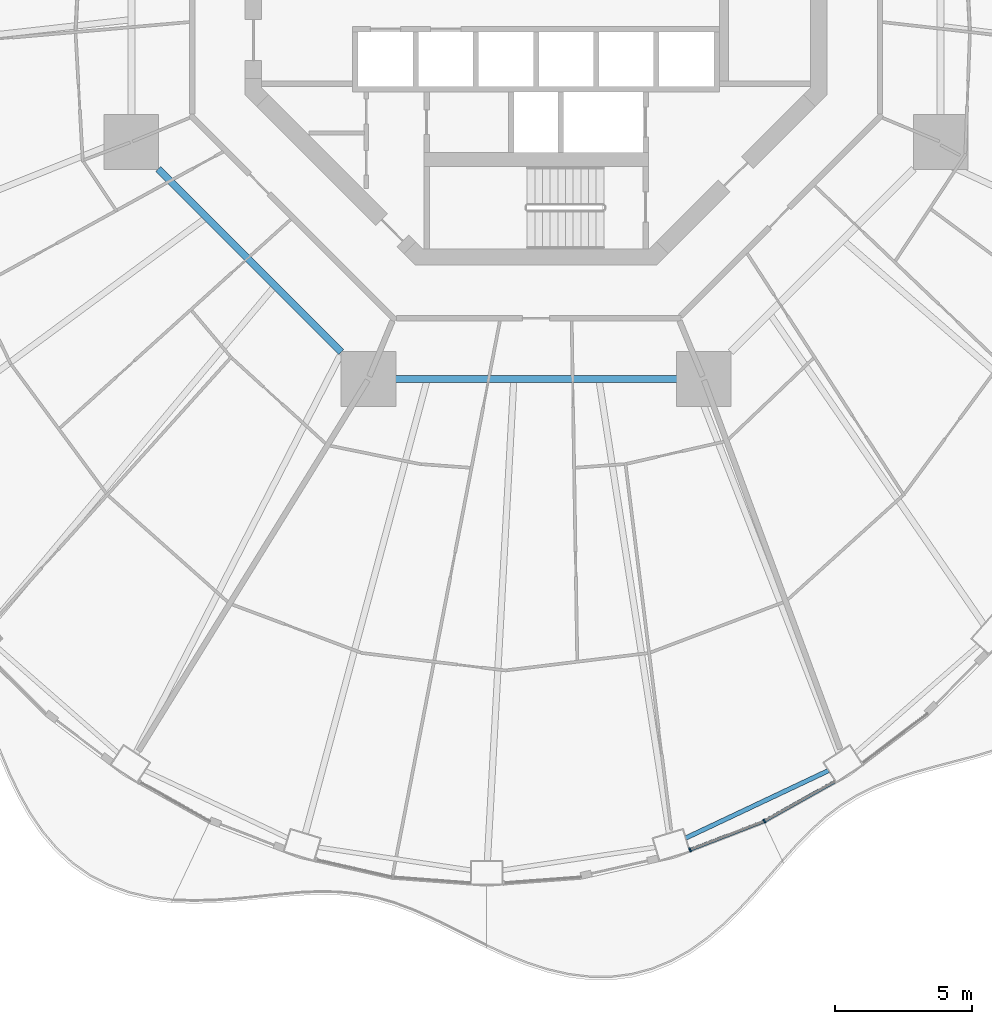
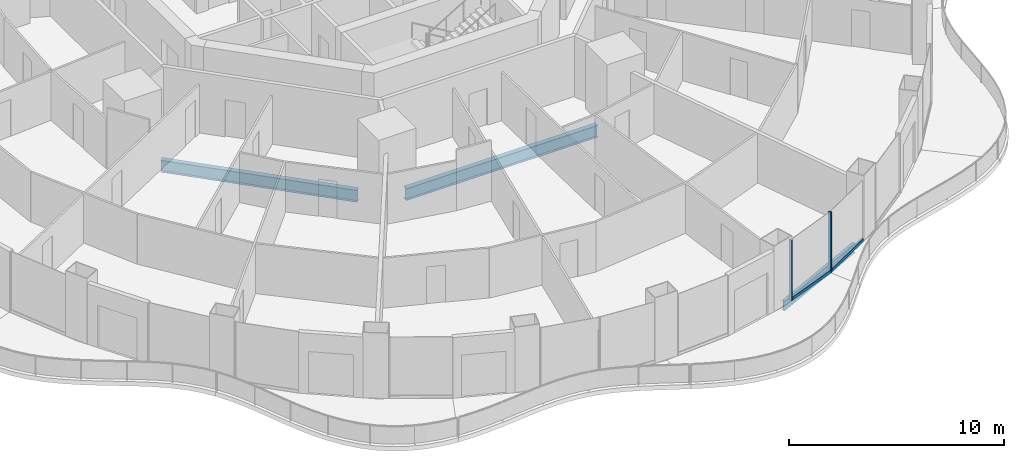
# One storey, part 4 of 20: 4 members, 3 beams, 2 elements without a shape of their own.
"""IFC4 building model written with IfcOpenShell, lengths in metres."""

from ifc_helpers import new_model, si_unit, direction, frame, origin, origin_2d, place, context, subcontext, project, spatial, rectangle, i_section, extrude, material, layer, layer_set, material_profile, profile_set, type_object, element, aggregate, save


model = new_model("IFC4")

# Units and contexts
model_context = context("Model", 3, precision=1e-05, world=origin(), true_north=direction((0.0, 1.0)))
body_context = subcontext(model_context, "Body", "Model", "MODEL_VIEW")
ifc_project = project(units=[si_unit("LENGTHUNIT", "METRE"), si_unit("AREAUNIT", "SQUARE_METRE"), si_unit("VOLUMEUNIT", "CUBIC_METRE"), si_unit("PLANEANGLEUNIT", "RADIAN"), si_unit("MASSUNIT", "GRAM", prefix="KILO")], contexts=[model_context])

# Site, building, storey
site_placement = place(None, origin())
site = spatial("IfcSite", under=ifc_project, at=site_placement, CompositionType="ELEMENT")
building_placement = place(site_placement, origin())
building = spatial("IfcBuilding", under=site, at=building_placement, Name="Nagisa Residences", CompositionType="ELEMENT")
storey_placement = place(building_placement, frame((0.0, 0.0, 130.699951171875)))
storey = spatial("IfcBuildingStorey", under=building, at=storey_placement, Name="L32", CompositionType="ELEMENT", Elevation=130.699951171875)

# Curtain wall, member
ifc_material_1 = material(Name="Concrete-coloured aluminium curtain wall system", Category="concrete")
ifc_layer = layer(ifc_material_1, 0.159912109375)
ifc_layer_set = layer_set([ifc_layer], Name="CW1 CURTAIN WALL")
curtain_wall_type = type_object("IfcCurtainWallType", Name="CW1 CURTAIN WALL", PredefinedType="NOTDEFINED", material=ifc_layer_set)
curtain_wall_1_placement = place(storey_placement, origin())
curtain_wall_1 = element("IfcCurtainWall", 1, at=curtain_wall_1_placement, inside=storey, type_object=curtain_wall_type, Name="cw:CW1:L32:38", PredefinedType="NOTDEFINED")
ifc_material_2 = material(Name="Concrete-coloured aluminium", Category="concrete")
ifc_material_profile_1 = material_profile(ifc_material_2, rectangle(XDim=0.159912109375, YDim=0.06005859375, at=origin_2d()), Name="CW1 MULLION 160x60")
ifc_profile_set_1 = profile_set([ifc_material_profile_1], Name="Concrete-coloured aluminium")
member_type_1 = type_object("IfcMemberType", Name="CW1 MULLION 160x60", PredefinedType="MULLION", material=ifc_profile_set_1)
member_1_placement = place(storey_placement, frame((5.626708984375, -31.982177734375, 0.0), z_axis=(0.0, 0.0, 1.0), x_axis=(-0.360327770268, 0.932825759707, 0.0)))
member_1 = element("IfcMember", 2, at=member_1_placement, type_object=member_type_1, Name="CW1 mullion", PredefinedType="MULLION", context=body_context, shape_type="SweptSolid", body=[
    extrude(rectangle(XDim=0.159912109375, YDim=0.06005859375, at=origin_2d()), origin(), (0.0, 0.0, 1.0), 3.43994140625),
])

curtain_wall_2_placement = place(storey_placement, origin())
curtain_wall_2 = element("IfcCurtainWall", 3, at=curtain_wall_2_placement, inside=storey, type_object=curtain_wall_type, Name="cw:CW1:L32:39", PredefinedType="NOTDEFINED")
member_2_placement = place(storey_placement, frame((8.341552734375, -30.9296875, 0.0), z_axis=(0.0, 0.0, 1.0), x_axis=(-0.489376918501, 0.872072377523, 0.0)))
member_2 = element("IfcMember", 4, at=member_2_placement, type_object=member_type_1, Name="CW1 mullion", PredefinedType="MULLION", context=body_context, shape_type="SweptSolid", body=[
    extrude(rectangle(XDim=0.159912109375, YDim=0.06005859375, at=origin_2d()), origin(), (0.0, 0.0, 1.0), 3.43994140625),
])

# Member
ifc_material_3 = material(Name="Concrete-coloured aluminium", Category="concrete")
ifc_material_profile_2 = material_profile(ifc_material_3, rectangle(XDim=0.1201171875, YDim=0.14990234375, at=origin_2d()), Name="CW1 TRANSOM 120x150")
ifc_profile_set_2 = profile_set([ifc_material_profile_2], Name="Concrete-coloured aluminium")
member_type_2 = type_object("IfcMemberType", Name="CW1 TRANSOM 120x150", PredefinedType="USERDEFINED", material=ifc_profile_set_2)
member_3_placement = place(storey_placement, frame((5.5986328125, -31.992919921875, 0.074951171875), z_axis=(0.932845344347, 0.360277064952, 0.0), x_axis=(-0.360277064952, 0.932845344347, 0.0)))
member_3 = element("IfcMember", 5, at=member_3_placement, type_object=member_type_2, Name="CW1 transom", ObjectType="TRANSOM", PredefinedType="USERDEFINED", context=body_context, shape_type="SweptSolid", body=[
    extrude(rectangle(XDim=0.1201171875, YDim=0.14990234375, at=origin_2d()), origin(), (0.0, 0.0, 1.0), 2.92333984375),
])

aggregate(curtain_wall_1, [member_1, member_3])

member_4_placement = place(storey_placement, frame((8.3154296875, -30.944580078125, 0.074951171875), z_axis=(0.87204719449, 0.4894217921, 0.0), x_axis=(-0.4894217921, 0.87204719449, 0.0)))
member_4 = element("IfcMember", 6, at=member_4_placement, type_object=member_type_2, Name="CW1 transom", ObjectType="TRANSOM", PredefinedType="USERDEFINED", context=body_context, shape_type="SweptSolid", body=[
    extrude(rectangle(XDim=0.1201171875, YDim=0.14990234375, at=origin_2d()), origin(), (0.0, 0.0, 1.0), 2.969482421875),
])

aggregate(curtain_wall_2, [member_2, member_4])

# Beams
ifc_material_4 = material(Name="Steel ASTM A572 Gr 50", Category="steel")
ifc_material_profile_3 = material_profile(ifc_material_4, i_section(OverallWidth=0.25390625, OverallDepth=0.68408203125, WebThickness=0.012451171875, FlangeThickness=0.018798828125, at=origin_2d()), Name="W690x140")
ifc_profile_set_3 = profile_set([ifc_material_profile_3], Name="Steel ASTM A572 Gr 50")
beam_type_1 = type_object("IfcBeamType", Name="Inner ring beam W690x140", PredefinedType="BEAM", material=ifc_profile_set_3)
beam_1_placement = place(storey_placement, frame((-13.796142578125, -7.10888671875, -0.60205078125), z_axis=(0.707106781187, -0.707106781187, 0.0), x_axis=(0.707106781187, 0.707106781187, 0.0)))
element("IfcBeam", 7, at=beam_1_placement, inside=storey, type_object=beam_type_1, Name="beam:L32:ib5", PredefinedType="BEAM", context=body_context, shape_type="SweptSolid", body=[
    extrude(i_section(OverallWidth=0.25390625, OverallDepth=0.68408203125, WebThickness=0.012451171875, FlangeThickness=0.018798828125, at=origin_2d()), origin(), (0.0, 0.0, 1.0), 9.457275390625),
])
beam_2_placement = place(storey_placement, frame((-5.142822265625, -14.781982421875, -0.60205078125), z_axis=(1.0, 0.0, 0.0), x_axis=(0.0, 1.0, 0.0)))
element("IfcBeam", 8, at=beam_2_placement, inside=storey, type_object=beam_type_1, Name="beam:L32:ib6", PredefinedType="BEAM", context=body_context, shape_type="SweptSolid", body=[
    extrude(i_section(OverallWidth=0.25390625, OverallDepth=0.68408203125, WebThickness=0.012451171875, FlangeThickness=0.018798828125, at=origin_2d()), origin(), (0.0, 0.0, 1.0), 10.28564453125),
])
ifc_material_5 = material(Name="Steel ASTM A572 Gr 50", Category="steel")
ifc_material_profile_4 = material_profile(ifc_material_5, i_section(OverallWidth=0.166015625, OverallDepth=0.534912109375, WebThickness=0.01025390625, FlangeThickness=0.0166015625, at=origin_2d()), Name="W530x85")
ifc_profile_set_4 = profile_set([ifc_material_profile_4], Name="Steel ASTM A572 Gr 50")
beam_type_2 = type_object("IfcBeamType", Name="Perimeter ring beam W530x85", PredefinedType="BEAM", material=ifc_profile_set_4)
beam_3_placement = place(storey_placement, frame((5.468505859375, -31.55029296875, -0.52734375), z_axis=(0.904186034847, 0.427138870143, 0.0), x_axis=(-0.427138870143, 0.904186034847, 0.0)))
element("IfcBeam", 9, at=beam_3_placement, inside=storey, type_object=beam_type_2, Name="beam:L32:pb20", PredefinedType="BEAM", context=body_context, shape_type="SweptSolid", body=[
    extrude(i_section(OverallWidth=0.166015625, OverallDepth=0.534912109375, WebThickness=0.01025390625, FlangeThickness=0.0166015625, at=origin_2d()), origin(), (0.0, 0.0, 1.0), 5.772216796875),
])

save(model, "model.ifc")
